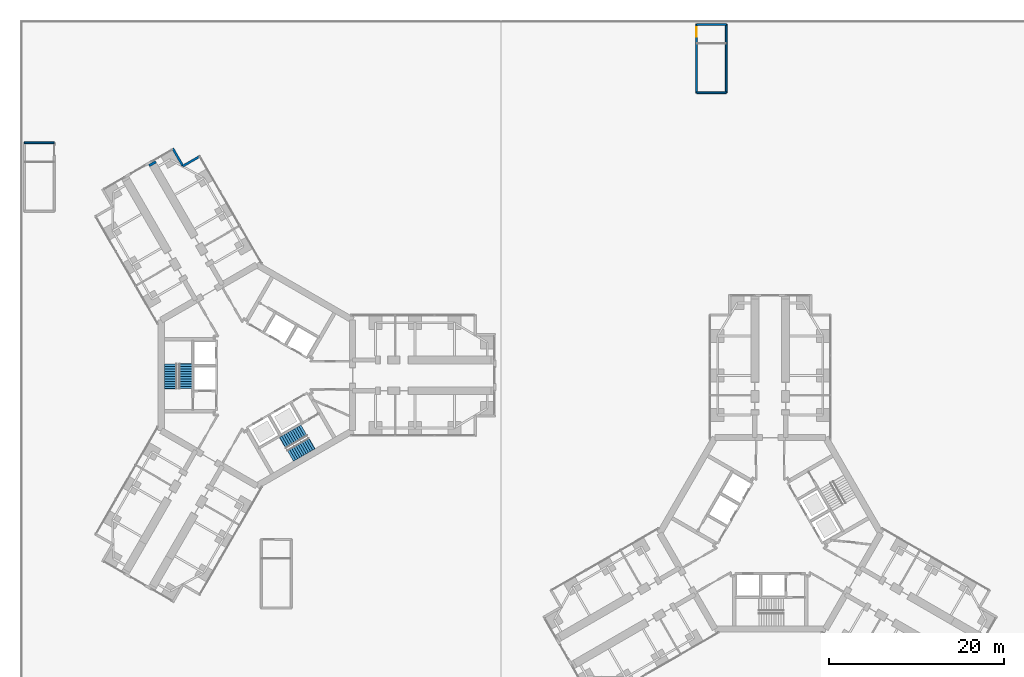
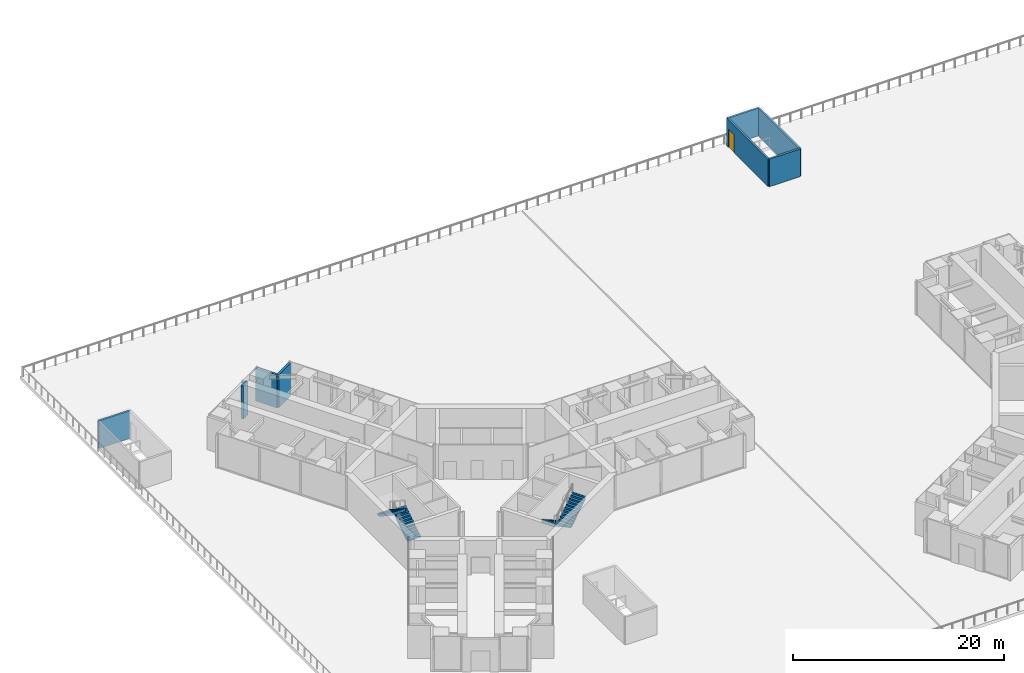
# One storey, part 19 of 23: 8 walls, 4 stair flights, 1 door, 1 opening, 2 elements without a shape of their own.
"""IFC4 building model written with IfcOpenShell, lengths in metres."""

from ifc_helpers import new_model, si_unit, direction, frame, frame_2d, origin, place, context, subcontext, project, spatial, polyline, rectangle, outline, extrude, material, layer, layer_set, type_object, element, fill, aggregate, save


model = new_model("IFC4")

# Units and contexts
model_context = context("Model", 3, precision=1e-05, world=origin(), true_north=direction((0.0, 1.0)))
body_context = subcontext(model_context, "Body", "Model", "MODEL_VIEW")
ifc_project = project(units=[si_unit("LENGTHUNIT", "METRE"), si_unit("AREAUNIT", "SQUARE_METRE"), si_unit("VOLUMEUNIT", "CUBIC_METRE"), si_unit("PLANEANGLEUNIT", "RADIAN"), si_unit("MASSUNIT", "GRAM", prefix="KILO")], contexts=[model_context])

# Site, building, storey
site_placement = place(None, origin())
site = spatial("IfcSite", under=ifc_project, at=site_placement, CompositionType="ELEMENT")
building_placement = place(site_placement, origin())
building = spatial("IfcBuilding", under=site, at=building_placement, Name="Upepo Twin Towers", CompositionType="ELEMENT")
storey_placement = place(building_placement, frame((0.0, 0.0, 20.5)))
storey = spatial("IfcBuildingStorey", under=building, at=storey_placement, Name="L04", CompositionType="ELEMENT", Elevation=20.5)

# Walls
ifc_material_1 = material(Name="Dense concrete blockwork", Category="masonry")
ifc_layer_1 = layer(ifc_material_1, 0.89990234375)
ifc_layer_set_1 = layer_set([ifc_layer_1], Name="Buttress closer 900, blockwork with fire-stopping to the curtain wall")
wall_type_1 = type_object("IfcWallType", Name="Buttress closer 900, blockwork with fire-stopping to the curtain wall", PredefinedType="PARTITIONING", material=ifc_layer_set_1)
wall_1_placement = place(storey_placement, frame((-11.83447265625, 23.997802734375, 0.0), z_axis=(0.0, 0.0, 1.0), x_axis=(-0.499671230855, 0.86621513555, 0.0)))
element("IfcWall", 1, at=wall_1_placement, inside=storey, type_object=wall_type_1, Name="T1 L04 wing B buttress closer R", PredefinedType="PARTITIONING", context=body_context, shape_type="SweptSolid", body=[
    extrude(rectangle(XDim=0.275146484375, YDim=0.89990234375, at=frame_2d((0.1376953125, 0.0))), origin(), (0.0, 0.0, 1.0), 3.800048828125),
])
ifc_material_2 = material(Name="Blockwork with anodised aluminium cladding", Category="masonry")
ifc_layer_2 = layer(ifc_material_2, 0.25)
ifc_layer_set_2 = layer_set([ifc_layer_2], Name="Notch cladding wall 250, pale metal")
wall_type_2 = type_object("IfcWallType", Name="Notch cladding wall 250, pale metal", PredefinedType="STANDARD", material=ifc_layer_set_2)
for number, where, z_axis, x_axis, name in (
    (2, (-6.418701171875, 25.017333984375, 0.0), (0.0, 0.0, 1.0), (-0.866043940782, -0.499967891604, 0.0), "T1 L04 wing B notch wall R1"),
    (3, (-8.43212890625, 23.85498046875, 0.0), (0.0, 0.0, 1.0), (-0.500046648681, 0.865998469481, 0.0), "T1 L04 wing B notch wall R2"),
):
    element("IfcWall", number, at=place(storey_placement, frame(where, z_axis=z_axis, x_axis=x_axis)), inside=storey, type_object=wall_type_2, Name=name, PredefinedType="STANDARD", context=body_context, shape_type="SweptSolid", body=[
        extrude(rectangle(XDim=2.324951171875, YDim=0.25, at=frame_2d((1.16259765625, 0.0))), origin(), (0.0, 0.0, 1.0), 3.800048828125),
    ])
ifc_material_3 = material(Name="Concrete C40/50", Category="concrete")
ifc_layer_3 = layer(ifc_material_3, 0.199951171875)
ifc_layer_set_3 = layer_set([ifc_layer_3], Name="Concrete C40/50")
wall_type_3 = type_object("IfcWallType", Name="Podium stair enclosure 200 RC", PredefinedType="SHEAR", material=ifc_layer_set_3)
for number, where, z_axis, x_axis, name in (
    (4, (-23.10009765625, 26.5, 0.0), (0.0, 0.0, 1.0), (-1.0, 0.0, 0.0), "PS1 head-house wall 3"),
    (5, (50.10009765625, 32.199951171875, 0.0), (0.0, 0.0, 1.0), (1.0, 0.0, 0.0), "PS4 head-house wall 1"),
):
    element("IfcWall", number, at=place(storey_placement, frame(where, z_axis=z_axis, x_axis=x_axis)), inside=storey, type_object=wall_type_3, Name=name, PredefinedType="SHEAR", context=body_context, shape_type="SweptSolid", body=[
        extrude(rectangle(XDim=3.39990234375, YDim=0.199951171875, at=frame_2d((1.699951171875, 0.0))), origin(), (0.0, 0.0, 1.0), 3.199951171875),
    ])
wall_2_placement = place(storey_placement, frame((53.5, 32.199951171875, 0.0), z_axis=(0.0, 0.0, 1.0), x_axis=(0.0, 1.0, 0.0)))
element("IfcWall", 6, at=wall_2_placement, inside=storey, type_object=wall_type_3, Name="PS4 head-house wall 2", PredefinedType="SHEAR", context=body_context, shape_type="SweptSolid", body=[
    extrude(rectangle(XDim=7.800048828125, YDim=0.199951171875, at=frame_2d((3.89990234375, 0.0))), origin(), (0.0, 0.0, 1.0), 3.199951171875),
])
wall_3_placement = place(storey_placement, frame((53.5, 40.0, 0.0), z_axis=(0.0, 0.0, 1.0), x_axis=(-1.0, 0.0, 0.0)))
element("IfcWall", 7, at=wall_3_placement, inside=storey, type_object=wall_type_3, Name="PS4 head-house wall 3", PredefinedType="SHEAR", context=body_context, shape_type="SweptSolid", body=[
    extrude(rectangle(XDim=3.39990234375, YDim=0.199951171875, at=frame_2d((1.699951171875, 0.0))), origin(), (0.0, 0.0, 1.0), 3.199951171875),
])

# Wall, opening, door
wall_4_placement = place(storey_placement, frame((50.10009765625, 40.0, 0.0), z_axis=(0.0, 0.0, 1.0), x_axis=(0.0, -1.0, 0.0)))
wall_4 = element("IfcWall", 8, at=wall_4_placement, inside=storey, type_object=wall_type_3, Name="PS4 head-house wall 4", PredefinedType="SHEAR", context=body_context, shape_type="SweptSolid", body=[
    extrude(rectangle(XDim=7.800048828125, YDim=0.199951171875, at=frame_2d((3.89990234375, 0.0))), origin(), (0.0, 0.0, 1.0), 3.199951171875),
])
opening_placement = place(wall_4_placement, frame((0.300048828125, 0.0, 0.0)))
opening = element("IfcOpeningElement", 9, at=opening_placement, cuts=wall_4, Name="Opening D3", PredefinedType="OPENING", context=body_context, shape_type="SweptSolid", body=[
    extrude(rectangle(XDim=1.10009765625, YDim=2.10009765625, at=frame_2d((0.550048828125, 1.050048828125))), frame((0.0, 0.10986328125, 0.0), z_axis=(0.0, -1.0, 0.0), x_axis=(1.0, 0.0, 0.0)), (0.0, 0.0, 1.0), 0.219970703125),
])
ifc_material_4 = material(Name="Timber doorset", Category="wood")
door_type = type_object("IfcDoorType", Name="Stair door 1100 FD60", OperationType="SINGLE_SWING_LEFT", PredefinedType="DOOR", material=ifc_material_4)
door_placement = place(opening_placement, origin())
door = element("IfcDoor", 10, at=door_placement, inside=storey, type_object=door_type, Name="PS4 head-house door", OperationType="SINGLE_SWING_LEFT", OverallHeight=2.10009765625, OverallWidth=1.10009765625, PredefinedType="DOOR", context=body_context, shape_type="SweptSolid", body=[
    extrude(rectangle(XDim=1.10009765625, YDim=2.10009765625, at=frame_2d((0.550048828125, 1.050048828125))), frame((0.0, 0.02490234375, 0.0), z_axis=(0.0, -1.0, 0.0), x_axis=(1.0, 0.0, 0.0)), (0.0, 0.0, 1.0), 0.050048828125),
])
fill(opening, door)

# Stair, stair flights
ifc_material_5 = material(Name="Concrete C40/50", Category="concrete")
stair_type = type_object("IfcStairType", Name="Core stair, two flights", PredefinedType="HALF_TURN_STAIR", material=ifc_material_5)
stair_1_placement = place(storey_placement, origin())
stair_1 = element("IfcStair", 11, at=stair_1_placement, inside=storey, type_object=stair_type, Name="T1 stair S1 L04", PredefinedType="HALF_TURN_STAIR")
ifc_material_6 = material(Name="Concrete C40/50", Category="concrete")
stair_flight_type = type_object("IfcStairFlightType", Name="Stair flight 1450 RC", PredefinedType="STRAIGHT", material=ifc_material_6)
stair_flight_1_placement = place(storey_placement, frame((-8.125, -1.52001953125, 0.0), z_axis=(0.0, 0.0, 1.0), x_axis=(0.0, 1.0, 0.0)))
stair_flight_1 = element("IfcStairFlight", 12, at=stair_flight_1_placement, type_object=stair_flight_type, Name="Stair S1 flight 1", NumberOfRisers=11, NumberOfTreads=10, PredefinedType="STRAIGHT", RiserHeight=0.181818182, TreadLength=0.28, context=body_context, shape_type="SweptSolid", body=[
    extrude(outline(polyline([(0.0, 0.0), (0.0, 0.181884765625), (0.280029296875, 0.181884765625), (0.280029296875, 0.363525390625), (0.56005859375, 0.363525390625), (0.56005859375, 0.54541015625), (0.840087890625, 0.54541015625), (0.840087890625, 0.727294921875), (1.1201171875, 0.727294921875), (1.1201171875, 0.9091796875), (1.39990234375, 0.9091796875), (1.39990234375, 1.0908203125), (1.679931640625, 1.0908203125), (1.679931640625, 1.272705078125), (1.9599609375, 1.272705078125), (1.9599609375, 1.45458984375), (2.239990234375, 1.45458984375), (2.239990234375, 1.636474609375), (2.52001953125, 1.636474609375), (2.52001953125, 1.818115234375), (2.800048828125, 1.818115234375), (2.800048828125, 2.0), (2.85009765625, 2.0), (2.85009765625, 1.639404296875), (0.3251953125, 0.0), (0.0, 0.0)])), frame((0.0, 0.72509765625, 0.0), z_axis=(0.0, -1.0, 0.0), x_axis=(1.0, 0.0, 0.0)), (0.0, 0.0, 1.0), 1.449951171875),
])
stair_flight_2_placement = place(storey_placement, frame((-9.833251953125, 1.280029296875, 2.0), z_axis=(0.0, 0.0, 1.0), x_axis=(0.0, -1.0, 0.0)))
stair_flight_2 = element("IfcStairFlight", 13, at=stair_flight_2_placement, type_object=stair_flight_type, Name="Stair S1 flight 2", NumberOfRisers=11, NumberOfTreads=10, PredefinedType="STRAIGHT", RiserHeight=0.181818182, TreadLength=0.28, context=body_context, shape_type="SweptSolid", body=[
    extrude(outline(polyline([(0.0, 0.0), (0.0, 0.181884765625), (0.280029296875, 0.181884765625), (0.280029296875, 0.363525390625), (0.56005859375, 0.363525390625), (0.56005859375, 0.54541015625), (0.840087890625, 0.54541015625), (0.840087890625, 0.727294921875), (1.1201171875, 0.727294921875), (1.1201171875, 0.9091796875), (1.39990234375, 0.9091796875), (1.39990234375, 1.0908203125), (1.679931640625, 1.0908203125), (1.679931640625, 1.272705078125), (1.9599609375, 1.272705078125), (1.9599609375, 1.45458984375), (2.239990234375, 1.45458984375), (2.239990234375, 1.636474609375), (2.52001953125, 1.636474609375), (2.52001953125, 1.818115234375), (2.800048828125, 1.818115234375), (2.800048828125, 2.0), (2.85009765625, 2.0), (2.85009765625, 1.639404296875), (0.3251953125, 0.0), (0.0, 0.0)])), frame((0.0, 0.72509765625, 0.0), z_axis=(0.0, -1.0, 0.0), x_axis=(1.0, 0.0, 0.0)), (0.0, 0.0, 1.0), 1.449951171875),
])
aggregate(stair_1, [stair_flight_1, stair_flight_2])

stair_2_placement = place(storey_placement, origin())
stair_2 = element("IfcStair", 14, at=stair_2_placement, inside=storey, type_object=stair_type, Name="T1 stair S2 L04", PredefinedType="HALF_TURN_STAIR")
stair_flight_3_placement = place(storey_placement, frame((5.37890625, -6.2763671875, 0.0), z_axis=(0.0, 0.0, 1.0), x_axis=(-0.866025403784, -0.5, 0.0)))
stair_flight_3 = element("IfcStairFlight", 15, at=stair_flight_3_placement, type_object=stair_flight_type, Name="Stair S2 flight 1", NumberOfRisers=11, NumberOfTreads=10, PredefinedType="STRAIGHT", RiserHeight=0.181818182, TreadLength=0.28, context=body_context, shape_type="SweptSolid", body=[
    extrude(outline(polyline([(0.0, 0.0), (0.0, 0.181884765625), (0.280029296875, 0.181884765625), (0.280029296875, 0.363525390625), (0.56005859375, 0.363525390625), (0.56005859375, 0.54541015625), (0.840087890625, 0.54541015625), (0.840087890625, 0.727294921875), (1.1201171875, 0.727294921875), (1.1201171875, 0.9091796875), (1.39990234375, 0.9091796875), (1.39990234375, 1.0908203125), (1.679931640625, 1.0908203125), (1.679931640625, 1.272705078125), (1.9599609375, 1.272705078125), (1.9599609375, 1.45458984375), (2.239990234375, 1.45458984375), (2.239990234375, 1.636474609375), (2.52001953125, 1.636474609375), (2.52001953125, 1.818115234375), (2.800048828125, 1.818115234375), (2.800048828125, 2.0), (2.85009765625, 2.0), (2.85009765625, 1.639404296875), (0.3251953125, 0.0), (0.0, 0.0)])), frame((0.0, 0.72509765625, 0.0), z_axis=(0.0, -1.0, 0.0), x_axis=(1.0, 0.0, 0.0)), (0.0, 0.0, 1.0), 1.449951171875),
])
stair_flight_4_placement = place(storey_placement, frame((3.80810546875, -9.156005859375, 2.0), z_axis=(0.0, 0.0, 1.0), x_axis=(0.866025403784, 0.5, 0.0)))
stair_flight_4 = element("IfcStairFlight", 16, at=stair_flight_4_placement, type_object=stair_flight_type, Name="Stair S2 flight 2", NumberOfRisers=11, NumberOfTreads=10, PredefinedType="STRAIGHT", RiserHeight=0.181818182, TreadLength=0.28, context=body_context, shape_type="SweptSolid", body=[
    extrude(outline(polyline([(0.0, 0.0), (0.0, 0.181884765625), (0.280029296875, 0.181884765625), (0.280029296875, 0.363525390625), (0.56005859375, 0.363525390625), (0.56005859375, 0.54541015625), (0.840087890625, 0.54541015625), (0.840087890625, 0.727294921875), (1.1201171875, 0.727294921875), (1.1201171875, 0.9091796875), (1.39990234375, 0.9091796875), (1.39990234375, 1.0908203125), (1.679931640625, 1.0908203125), (1.679931640625, 1.272705078125), (1.9599609375, 1.272705078125), (1.9599609375, 1.45458984375), (2.239990234375, 1.45458984375), (2.239990234375, 1.636474609375), (2.52001953125, 1.636474609375), (2.52001953125, 1.818115234375), (2.800048828125, 1.818115234375), (2.800048828125, 2.0), (2.85009765625, 2.0), (2.85009765625, 1.639404296875), (0.3251953125, 0.0), (0.0, 0.0)])), frame((0.0, 0.72509765625, 0.0), z_axis=(0.0, -1.0, 0.0), x_axis=(1.0, 0.0, 0.0)), (0.0, 0.0, 1.0), 1.449951171875),
])
aggregate(stair_2, [stair_flight_3, stair_flight_4])

save(model, "model.ifc")
